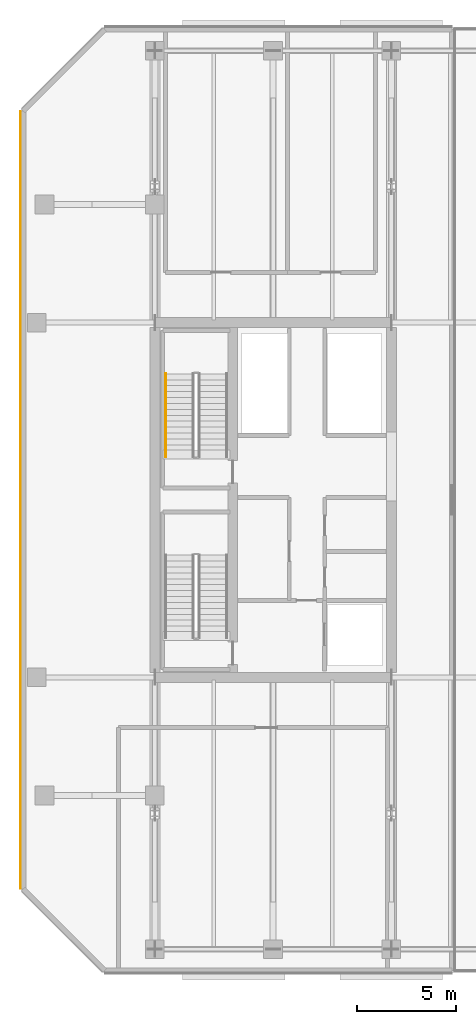
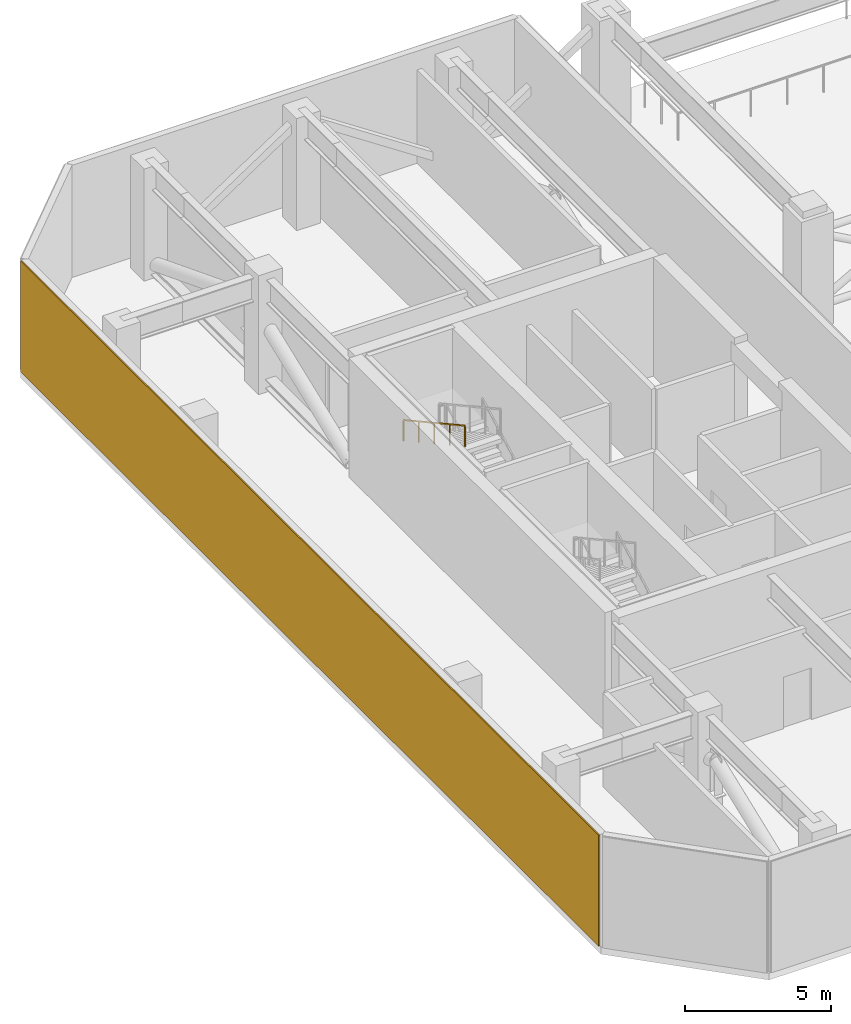
# One storey, part 17 of 21: 1 covering, 1 railing.
"""IFC4 building model written with IfcOpenShell, lengths in metres."""

import ifcopenshell
import ifcopenshell.guid

model = None  # the IFC model being written
_history = None  # IfcOwnerHistory: only IFC2X3 demands one
_inside = {}  # id of a spatial element -> (the spatial element, [elements in it])
_under = {}  # id of a project, library or spatial element -> (it, [spatial elements below it])
_declared = {}  # id of a project -> (the project, [libraries it declares])
_typed = {}  # id of a type object -> (the type object, [elements of that type])
_made_of = {}  # id of a material, layer set ... -> (it, [elements and type objects made of it])


def new_model(schema):
    """Start an empty IFC model of exactly this schema.

    Asked for "IFC4X3", IfcOpenShell would pick the latest addendum, in which some entities
    have other attributes; the version numbers below select the first issue.
    IFC2X3 requires an IfcOwnerHistory on every rooted entity: one is made here for all.
    """
    global model, _history
    if schema == "IFC4X3":
        model = ifcopenshell.file(schema_version=(4, 3, 0, 0))
    else:
        model = ifcopenshell.file(schema=schema)
    _inside.clear()
    _under.clear()
    _declared.clear()
    _typed.clear()
    _made_of.clear()
    _history = None
    if model.schema == "IFC2X3":
        org = make("IfcOrganization", Name="unknown")
        user = make(
            "IfcPersonAndOrganization",
            ThePerson=make("IfcPerson", FamilyName="unknown"),
            TheOrganization=org,
        )
        app = make(
            "IfcApplication",
            ApplicationDeveloper=org,
            Version="unknown",
            ApplicationFullName="unknown",
            ApplicationIdentifier="unknown",
        )
        _history = make(
            "IfcOwnerHistory",
            OwningUser=user,
            OwningApplication=app,
            ChangeAction="ADDED",
            CreationDate=0,
        )
    return model


def make(cls, **values):
    """One entity of the class cls with the attributes given. An attribute that is None is left unset."""
    return model.create_entity(
        cls, **{name: value for name, value in values.items() if value is not None}
    )


def rooted(cls, **values):
    """An entity with a GlobalId (a new one), such as an element, a storey or a relation."""
    return make(cls, GlobalId=ifcopenshell.guid.new(), OwnerHistory=_history, **values)


def si_unit(unit_type, name, prefix=None):
    """IfcSIUnit, for example si_unit("LENGTHUNIT", "METRE", prefix="MILLI")."""
    return make("IfcSIUnit", UnitType=unit_type, Prefix=prefix, Name=name)


def assignment(units):
    """IfcUnitAssignment: the units of a project."""
    return None if units is None else make("IfcUnitAssignment", Units=units)


def point(xyz):
    """IfcCartesianPoint."""
    return None if xyz is None else make("IfcCartesianPoint", Coordinates=xyz)


def direction(xyz):
    """IfcDirection."""
    return None if xyz is None else make("IfcDirection", DirectionRatios=xyz)


def frame(location, z_axis=None, x_axis=None):
    """IfcAxis2Placement3D, a coordinate frame: its origin and axes. An axis left out is left unset."""
    return make(
        "IfcAxis2Placement3D",
        Location=point(location),
        Axis=direction(z_axis),
        RefDirection=direction(x_axis),
    )


def frame_2d(location, x_axis=None):
    """IfcAxis2Placement2D, a coordinate frame in the plane: its origin and x axis."""
    return make(
        "IfcAxis2Placement2D", Location=point(location), RefDirection=direction(x_axis)
    )


def origin():
    """The frame at (0, 0, 0) with its axes left unset."""
    return frame((0.0, 0.0, 0.0))


def origin_2d():
    """The frame at (0, 0) in the plane with its x axis left unset."""
    return frame_2d((0.0, 0.0))


def place(relative_to, where):
    """IfcLocalPlacement: puts the frame where relative to a parent placement (None: the world)."""
    return make(
        "IfcLocalPlacement", PlacementRelTo=relative_to, RelativePlacement=where
    )


def context(
    kind, dimensions, precision=None, world=None, true_north=None, identifier=None
):
    """IfcGeometricRepresentationContext, for example the 3D "Model" context."""
    return make(
        "IfcGeometricRepresentationContext",
        ContextIdentifier=identifier,
        ContextType=kind,
        CoordinateSpaceDimension=dimensions,
        Precision=precision,
        WorldCoordinateSystem=world,
        TrueNorth=true_north,
    )


def subcontext(parent, identifier, kind, view, scale=None):
    """IfcGeometricRepresentationSubContext, for example "Body" below "Model"."""
    return make(
        "IfcGeometricRepresentationSubContext",
        ContextIdentifier=identifier,
        ContextType=kind,
        ParentContext=parent,
        TargetScale=scale,
        TargetView=view,
    )


def project(units=None, contexts=None):
    """IfcProject with its units and contexts."""
    return rooted(
        "IfcProject",
        Name="project",
        RepresentationContexts=contexts,
        UnitsInContext=assignment(units),
    )


def spatial(cls, under=None, at=None, **own):
    """A site, building, storey or space (cls), placed at a placement, below another one or the project."""
    s = rooted(cls, ObjectPlacement=at, **own)
    if under is not None:
        _under.setdefault(under.id(), (under, []))[1].append(s)
    return s


def profile(cls, at=None, kind="AREA", **sizes):
    """A parametric profile (cls). Its sizes go by their IFC names, for example OverallWidth=200.0."""
    return make(cls, ProfileType=kind, Position=at, **sizes)


def rectangle(**sizes):
    """IfcRectangleProfileDef."""
    return profile("IfcRectangleProfileDef", **sizes)


def extrude(swept, where, along, depth):
    """IfcExtrudedAreaSolid: the profile swept, set in the frame where, extruded along a direction by depth."""
    return make(
        "IfcExtrudedAreaSolid",
        SweptArea=swept,
        Position=where,
        ExtrudedDirection=direction(along),
        Depth=depth,
    )


def shape(context_of_items, identifier, shape_type, items):
    """IfcShapeRepresentation: the items that make up one representation, for example the "Body"."""
    return make(
        "IfcShapeRepresentation",
        ContextOfItems=context_of_items,
        RepresentationIdentifier=identifier,
        RepresentationType=shape_type,
        Items=items,
    )


def material(Name=None, Category=None):
    """IfcMaterial."""
    return make("IfcMaterial", Name=Name, Category=Category)


def layer(
    of_material, thickness, ventilated=None, Name=None, Category=None, Priority=None
):
    """IfcMaterialLayer: one layer of a wall or slab, of a material (None: an air gap)."""
    return make(
        "IfcMaterialLayer",
        Material=of_material,
        LayerThickness=thickness,
        IsVentilated=ventilated,
        Name=Name,
        Category=Category,
        Priority=Priority,
    )


def layer_set(layers, Name=None):
    """IfcMaterialLayerSet."""
    return make("IfcMaterialLayerSet", MaterialLayers=layers, LayerSetName=Name)


def made_of(thing, what):
    """Note that an element or type object is made of a material, layer set ...; save() writes the relation."""
    if what is not None:
        _made_of.setdefault(what.id(), (what, []))[1].append(thing)
    return thing


def type_object(cls, material=None, **own):
    """A type object (cls), such as IfcWallType, which elements share."""
    return made_of(rooted(cls, **own), material)


def element(
    cls,
    number,
    at=None,
    inside=None,
    cuts=None,
    type_object=None,
    material=None,
    context=None,
    identifier="Body",
    shape_type=None,
    held_by="IfcProductDefinitionShape",
    body=None,
    shapes=None,
    **own,
):
    """One element of the class cls, such as IfcWall. Its Tag is "e" and its number.

    at: its placement. inside: the storey or other place that contains it. cuts: it is an
    opening in that element (IfcRelVoidsElement). A single representation is given by context,
    identifier, shape_type and body (its items); several are given by shapes. held_by: the class
    of the entity that holds the representations. save() writes the other relations.
    """
    e = rooted(cls, Tag="e%d" % number, ObjectPlacement=at, **own)
    if body is not None:
        shapes = [shape(context, identifier, shape_type, body)]
    if shapes is not None:
        e.Representation = make(held_by, Representations=shapes)
    if inside is not None:
        _inside.setdefault(inside.id(), (inside, []))[1].append(e)
    if cuts is not None:
        rooted(
            "IfcRelVoidsElement", RelatingBuildingElement=cuts, RelatedOpeningElement=e
        )
    if type_object is not None:
        _typed.setdefault(type_object.id(), (type_object, []))[1].append(e)
    return made_of(e, material)


def aggregate(whole, parts):
    """IfcRelAggregates: a whole, such as a stair, and the parts it consists of."""
    return rooted("IfcRelAggregates", RelatingObject=whole, RelatedObjects=parts)


def save(model, path):
    """Write the relations noted so far, then the file.

    IfcRelAggregates (storeys below a building ...), IfcRelContainedInSpatialStructure (elements
    in a storey), IfcRelDefinesByType, IfcRelAssociatesMaterial and IfcRelDeclares: one each for
    every whole, place, type object, material and project.
    """
    for whole, parts in _under.values():
        aggregate(whole, parts)
    for where, things in _inside.values():
        rooted(
            "IfcRelContainedInSpatialStructure",
            RelatedElements=things,
            RelatingStructure=where,
        )
    for kind, things in _typed.values():
        rooted("IfcRelDefinesByType", RelatedObjects=things, RelatingType=kind)
    for what, things in _made_of.values():
        rooted("IfcRelAssociatesMaterial", RelatedObjects=things, RelatingMaterial=what)
    for by, libraries in _declared.values():
        rooted("IfcRelDeclares", RelatingContext=by, RelatedDefinitions=libraries)
    model.write(path)


model = new_model("IFC4")

# Units and contexts
model_context = context("Model", 3, precision=1e-05, world=origin(), true_north=direction((0.0, 1.0)))
body_context = subcontext(model_context, "Body", "Model", "MODEL_VIEW")
ifc_project = project(units=[si_unit("LENGTHUNIT", "METRE"), si_unit("AREAUNIT", "SQUARE_METRE"), si_unit("VOLUMEUNIT", "CUBIC_METRE"), si_unit("PLANEANGLEUNIT", "RADIAN"), si_unit("MASSUNIT", "GRAM", prefix="KILO")], contexts=[model_context])

# Site, building, storey
site_placement = place(None, origin())
site = spatial("IfcSite", under=ifc_project, at=site_placement, CompositionType="ELEMENT")
building_placement = place(site_placement, origin())
building = spatial("IfcBuilding", under=site, at=building_placement, Name="Tanjung Sevakor Pilgrim Tower", CompositionType="ELEMENT")
storey_placement = place(building_placement, frame((0.0, 0.0, 123.090087890625)))
storey = spatial("IfcBuildingStorey", under=building, at=storey_placement, Name="L34", CompositionType="ELEMENT", Elevation=123.090087890625)

# Covering
ifc_material_1 = material(Name="Reconstructed Limestone Cladding", Category="masonry")
ifc_layer = layer(ifc_material_1, 0.044921875)
ifc_layer_set = layer_set([ifc_layer], Name="COV-CLAD-LIMESTONE")
covering_type = type_object("IfcCoveringType", Name="COV-CLAD-LIMESTONE", PredefinedType="CLADDING", material=ifc_layer_set)
covering_placement = place(storey_placement, frame((17.177490234375, 33.60009765625, 0.02001953125), z_axis=(0.0, 0.0, 1.0), x_axis=(0.0, -1.0, 0.0)))
element("IfcCovering", 1, at=covering_placement, inside=storey, type_object=covering_type, Name="L34 Warm Limestone Wall Cladding EW-RFW-L34-5", PredefinedType="CLADDING", context=body_context, shape_type="SweptSolid", body=[
    extrude(rectangle(XDim=39.456298828125, YDim=0.044921875, at=origin_2d()), origin(), (0.0, 0.0, 1.0), 4.6298828125),
])

# Railing
ifc_material_2 = material(Name="Steel S355J2", Category="steel")
railing_type = type_object("IfcRailingType", Name="RL-STAIR-HAND", PredefinedType="HANDRAIL", material=ifc_material_2)
railing_placement = place(storey_placement, frame((24.550048828125, 40.0, 2.639892578125)))
element("IfcRailing", 2, at=railing_placement, inside=storey, type_object=railing_type, Name="L34 TS-W2 stair handrail 2", PredefinedType="HANDRAIL", context=body_context, shape_type="SweptSolid", body=[
    extrude(rectangle(XDim=0.0479, YDim=0.0479), frame((0.0, 0.0, 0.8759765625), z_axis=(0.0, -0.876208380975, 0.481932436249), x_axis=(1.0, 0.0, 0.0)), (0.0, 0.0, 1.0), 4.793212890625),
    extrude(rectangle(XDim=0.042, YDim=0.042), origin(), (0.0, 0.0, 1.0), 0.851806640625),
    extrude(rectangle(XDim=0.042, YDim=0.042), frame((0.0, -1.050048828125, 0.57763671875)), (0.0, 0.0, 1.0), 0.851806640625),
    extrude(rectangle(XDim=0.042, YDim=0.042), frame((0.0, -2.10009765625, 1.155029296875)), (0.0, 0.0, 1.0), 0.851806640625),
    extrude(rectangle(XDim=0.042, YDim=0.042), frame((0.0, -3.14990234375, 1.732421875)), (0.0, 0.0, 1.0), 0.851806640625),
    extrude(rectangle(XDim=0.042, YDim=0.042), frame((0.0, -4.199951171875, 2.31005859375)), (0.0, 0.0, 1.0), 0.851806640625),
])

save(model, "model.ifc")
